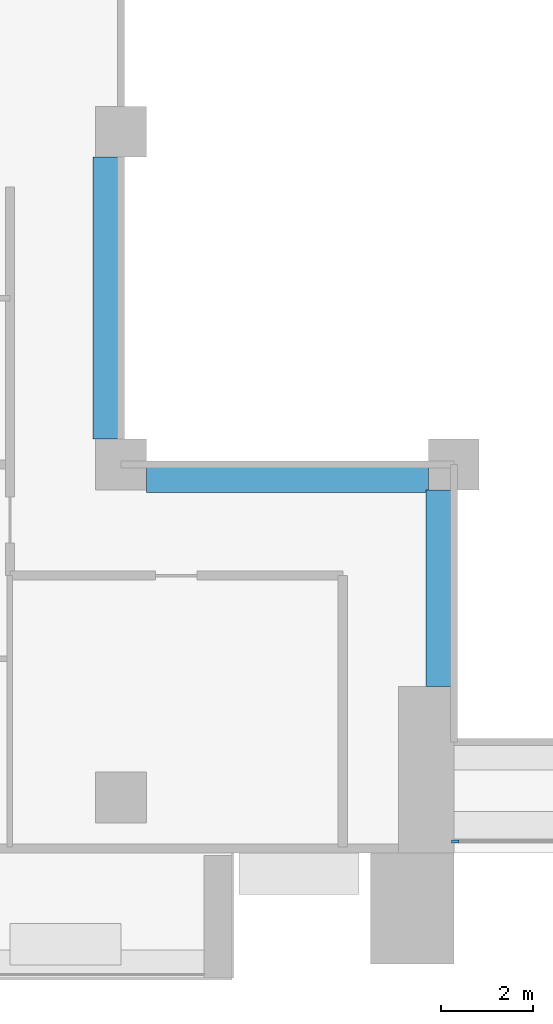
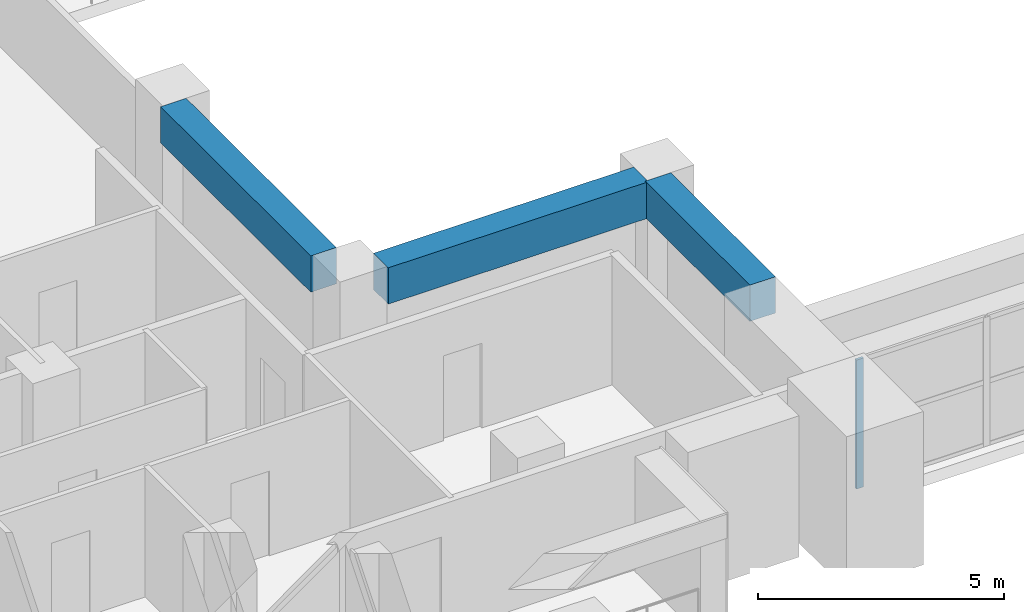
# One storey, part 2 of 20: 3 beams, 1 member, 1 element without a shape of its own.
"""IFC4 building model written with IfcOpenShell, lengths in metres."""

from ifc_helpers import new_model, si_unit, direction, frame, origin, origin_2d, place, context, subcontext, project, spatial, rectangle, extrude, source, transform, mapped, material, layer, layer_set, material_profile, profile_set, type_object, element, aggregate, save


model = new_model("IFC4")

# Units and contexts
model_context = context("Model", 3, precision=1e-05, world=origin(), true_north=direction((0.0, 1.0)))
body_context = subcontext(model_context, "Body", "Model", "MODEL_VIEW")
ifc_project = project(units=[si_unit("LENGTHUNIT", "METRE"), si_unit("AREAUNIT", "SQUARE_METRE"), si_unit("VOLUMEUNIT", "CUBIC_METRE"), si_unit("PLANEANGLEUNIT", "RADIAN"), si_unit("MASSUNIT", "GRAM", prefix="KILO")], contexts=[model_context])

# Site, building, storey
site_placement = place(None, origin())
site = spatial("IfcSite", under=ifc_project, at=site_placement, CompositionType="ELEMENT")
building_placement = place(site_placement, origin())
building = spatial("IfcBuilding", under=site, at=building_placement, Name="Saffron Iwan Residences", CompositionType="ELEMENT")
storey_placement = place(building_placement, frame((0.0, 0.0, 130.5)))
storey = spatial("IfcBuildingStorey", under=building, at=storey_placement, Name="L34", CompositionType="ELEMENT", Elevation=130.5)

# Beams
ifc_material_1 = material(Name="Concrete C50/60", Category="concrete")
ifc_material_profile_1 = material_profile(ifc_material_1, rectangle(XDim=0.60009765625, YDim=0.89990234375, at=origin_2d()), Name="RC 600x900")
ifc_profile_set_1 = profile_set([ifc_material_profile_1], Name="Concrete C50/60")
beam_type = type_object("IfcBeamType", Name="BEAM RC 600x900 C50/60 TOP 3200", PredefinedType="BEAM", material=ifc_profile_set_1)
shared_shape_1 = source(origin(), body_context, "Body", "SweptSolid", [
    extrude(rectangle(XDim=0.60009765625, YDim=0.89990234375, at=origin_2d()), origin(), (0.0, 0.0, 1.0), 4.25),
])
beam_placement = place(storey_placement, frame((42.89990234375, 43.199951171875, 2.75), z_axis=(0.0, 1.0, 0.0), x_axis=(-1.0, 0.0, 0.0)))
element("IfcBeam", 1, at=beam_placement, inside=storey, type_object=beam_type, Name="Atrium edge beam", PredefinedType="BEAM", context=body_context, shape_type="MappedRepresentation", body=[
    mapped(shared_shape_1, transform((0.0, 0.0, 0.0))),
])
shared_shape_2 = source(origin(), body_context, "Body", "SweptSolid", [
    extrude(rectangle(XDim=0.60009765625, YDim=0.89990234375, at=origin_2d()), origin(), (0.0, 0.0, 1.0), 6.099853515625),
])
for number, where, z_axis, x_axis, name in (
    (2, (42.64990234375, 47.699951171875, 2.75), (-1.0, 0.0, 0.0), (0.0, -1.0, 0.0), "Atrium edge beam"),
    (3, (35.699951171875, 48.550048828125, 2.75), (0.0, 1.0, 0.0), (-1.0, 0.0, 0.0), "Atrium edge beam"),
):
    element("IfcBeam", number, at=place(storey_placement, frame(where, z_axis=z_axis, x_axis=x_axis)), inside=storey, type_object=beam_type, Name=name, PredefinedType="BEAM", context=body_context, shape_type="MappedRepresentation", body=[
        mapped(shared_shape_2, transform((0.0, 0.0, 0.0))),
    ])

# Curtain wall, member
ifc_material_2 = material(Name="Clear glass, laminated double glazed", Category="glass")
ifc_layer = layer(ifc_material_2, 0.199951171875)
ifc_layer_set = layer_set([ifc_layer], Name="Clear glass, laminated double glazed")
curtain_wall_type = type_object("IfcCurtainWallType", Name="CW-B IWAN PORTAL", PredefinedType="NOTDEFINED", material=ifc_layer_set)
curtain_wall_placement = place(storey_placement, origin())
curtain_wall = element("IfcCurtainWall", 4, at=curtain_wall_placement, inside=storey, type_object=curtain_wall_type, Name="Iwan portal glazing L34.1", PredefinedType="NOTDEFINED")
ifc_material_3 = material(Name="Aluminium 6063-T6", Category="aluminium")
ifc_material_profile_2 = material_profile(ifc_material_3, rectangle(XDim=0.06005859375, YDim=0.159912109375, at=origin_2d()), Name="CW-B MULLION 60 x 160")
ifc_profile_set_2 = profile_set([ifc_material_profile_2], Name="Aluminium 6063-T6")
member_type = type_object("IfcMemberType", Name="CW-B MULLION 60 x 160", PredefinedType="MULLION", material=ifc_profile_set_2)
shared_shape_3 = source(origin(), body_context, "Body", "SweptSolid", [
    extrude(rectangle(XDim=0.06005859375, YDim=0.159912109375, at=origin_2d()), origin(), (0.0, 0.0, 1.0), 3.199951171875),
])
member_placement = place(storey_placement, frame((43.22998046875, 39.85009765625, 0.0), z_axis=(0.0, 0.0, 1.0), x_axis=(0.0, 1.0, 0.0)))
member = element("IfcMember", 5, at=member_placement, type_object=member_type, Name="CW-B mullion 1", PredefinedType="MULLION", context=body_context, shape_type="MappedRepresentation", body=[
    mapped(shared_shape_3, transform((0.0, 0.0, 0.0))),
])
aggregate(curtain_wall, [member])

save(model, "model.ifc")
